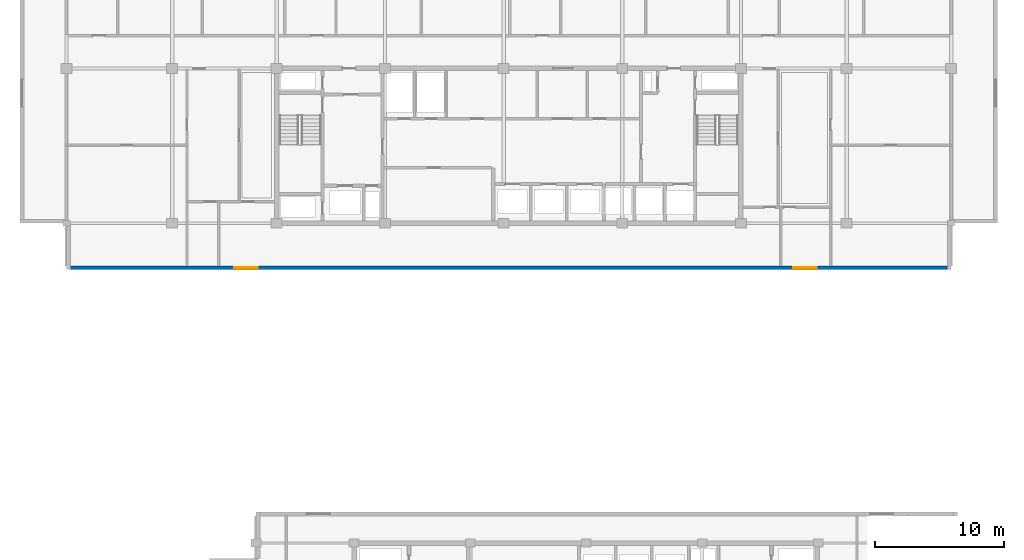
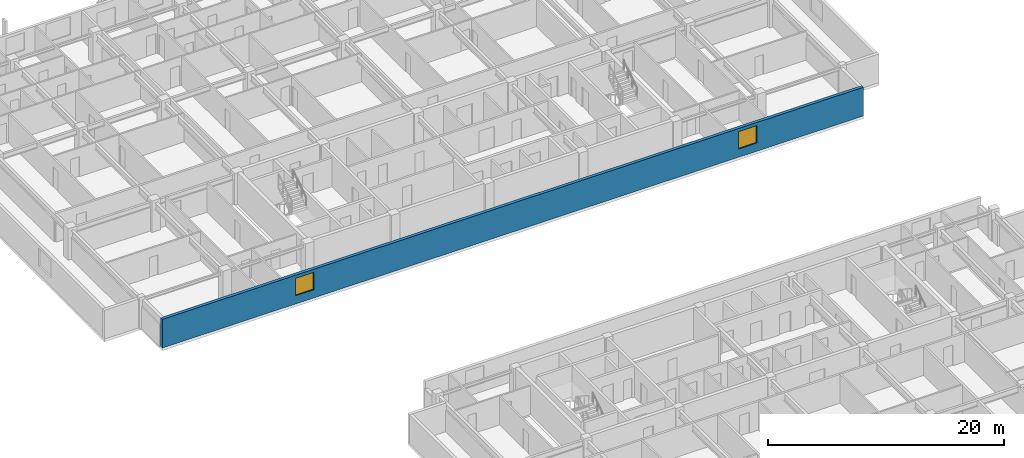
# One storey, part 9 of 24: 2 windows, 1 wall, 2 openings.
"""IFC4 building model written with IfcOpenShell, lengths in metres."""

from ifc_helpers import new_model, si_unit, direction, frame, frame_2d, origin, place, context, subcontext, project, spatial, rectangle, extrude, material, layer, layer_set, type_object, element, fill, save


model = new_model("IFC4")

# Units and contexts
model_context = context("Model", 3, precision=1e-05, world=origin(), true_north=direction((0.0, 1.0)))
body_context = subcontext(model_context, "Body", "Model", "MODEL_VIEW")
ifc_project = project(units=[si_unit("LENGTHUNIT", "METRE"), si_unit("AREAUNIT", "SQUARE_METRE"), si_unit("VOLUMEUNIT", "CUBIC_METRE"), si_unit("PLANEANGLEUNIT", "RADIAN"), si_unit("MASSUNIT", "GRAM", prefix="KILO")], contexts=[model_context])

# Site, building, storey
site_placement = place(None, origin())
site = spatial("IfcSite", under=ifc_project, at=site_placement, CompositionType="ELEMENT")
building_placement = place(site_placement, origin())
building = spatial("IfcBuilding", under=site, at=building_placement, Name="Korimba Cascade Residences", CompositionType="ELEMENT")
storey_placement = place(building_placement, frame((0.0, 0.0, 168.60009765625)))
storey = spatial("IfcBuildingStorey", under=building, at=storey_placement, Name="L48", CompositionType="ELEMENT", Elevation=168.60009765625)

# Wall, openings, windows
ifc_material_1 = material(Name="Precast concrete C40/50", Category="concrete")
ifc_layer = layer(ifc_material_1, 0.300048828125)
ifc_layer_set = layer_set([ifc_layer], Name="Precast concrete C40/50")
wall_type = type_object("IfcWallType", Name="EW-STONE-300", PredefinedType="STANDARD", material=ifc_layer_set)
wall_placement = place(storey_placement, frame((59.800048828125, 51.75, 0.0), z_axis=(0.0, 0.0, 1.0), x_axis=(1.0, 0.0, 0.0)))
wall = element("IfcWall", 1, at=wall_placement, inside=storey, type_object=wall_type, Name="L48 T1 Perimeter Stone Wall E00", PredefinedType="STANDARD", context=body_context, shape_type="SweptSolid", body=[
    extrude(rectangle(XDim=68.599853515625, YDim=0.300048828125, at=frame_2d((34.2998046875, 0.0))), origin(), (0.0, 0.0, 1.0), 2.969970703125),
])
opening_1_placement = place(wall_placement, frame((13.02490234375, 0.0, 0.85009765625)))
opening_1 = element("IfcOpeningElement", 2, at=opening_1_placement, cuts=wall, Name="Opening W-02", PredefinedType="OPENING", context=body_context, shape_type="SweptSolid", body=[
    extrude(rectangle(XDim=1.800048828125, YDim=1.800048828125, at=frame_2d((0.89990234375, 0.89990234375))), frame((0.0, 0.16015625, 0.0), z_axis=(0.0, -1.0, 0.0), x_axis=(1.0, 0.0, 0.0)), (0.0, 0.0, 1.0), 0.320068359375),
])
opening_2_placement = place(wall_placement, frame((56.375, 0.0, 0.85009765625)))
opening_2 = element("IfcOpeningElement", 3, at=opening_2_placement, cuts=wall, Name="Opening W-02", PredefinedType="OPENING", context=body_context, shape_type="SweptSolid", body=[
    extrude(rectangle(XDim=1.800048828125, YDim=1.800048828125, at=frame_2d((0.89990234375, 0.89990234375))), frame((0.0, 0.16015625, 0.0), z_axis=(0.0, -1.0, 0.0), x_axis=(1.0, 0.0, 0.0)), (0.0, 0.0, 1.0), 0.320068359375),
])
ifc_material_2 = material(Name="Double-Glazed Aluminium Window", Category="aluminium")
window_type = type_object("IfcWindowType", Name="WIN-BED-1800", PartitioningType="SINGLE_PANEL", PredefinedType="WINDOW", material=ifc_material_2)
window_1_placement = place(opening_1_placement, origin())
window_1 = element("IfcWindow", 4, at=window_1_placement, inside=storey, type_object=window_type, Name="L48 T1 South Corner Bedroom Window 1", OverallHeight=1.800048828125, OverallWidth=1.800048828125, PartitioningType="SINGLE_PANEL", PredefinedType="WINDOW", context=body_context, shape_type="SweptSolid", body=[
    extrude(rectangle(XDim=1.800048828125, YDim=1.800048828125, at=frame_2d((0.89990234375, 0.89990234375))), frame((0.0, 0.030029296875, 0.0), z_axis=(0.0, -1.0, 0.0), x_axis=(1.0, 0.0, 0.0)), (0.0, 0.0, 1.0), 0.06005859375),
])
fill(opening_1, window_1)
window_2_placement = place(opening_2_placement, origin())
window_2 = element("IfcWindow", 5, at=window_2_placement, inside=storey, type_object=window_type, Name="L48 T1 South Corner Bedroom Window 2", OverallHeight=1.800048828125, OverallWidth=1.800048828125, PartitioningType="SINGLE_PANEL", PredefinedType="WINDOW", context=body_context, shape_type="SweptSolid", body=[
    extrude(rectangle(XDim=1.800048828125, YDim=1.800048828125, at=frame_2d((0.89990234375, 0.89990234375))), frame((0.0, 0.030029296875, 0.0), z_axis=(0.0, -1.0, 0.0), x_axis=(1.0, 0.0, 0.0)), (0.0, 0.0, 1.0), 0.06005859375),
])
fill(opening_2, window_2)

save(model, "model.ifc")
